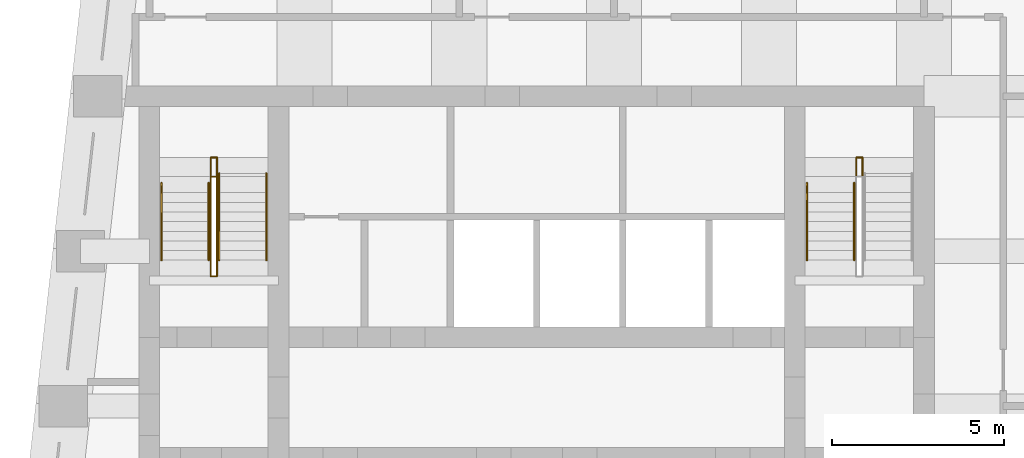
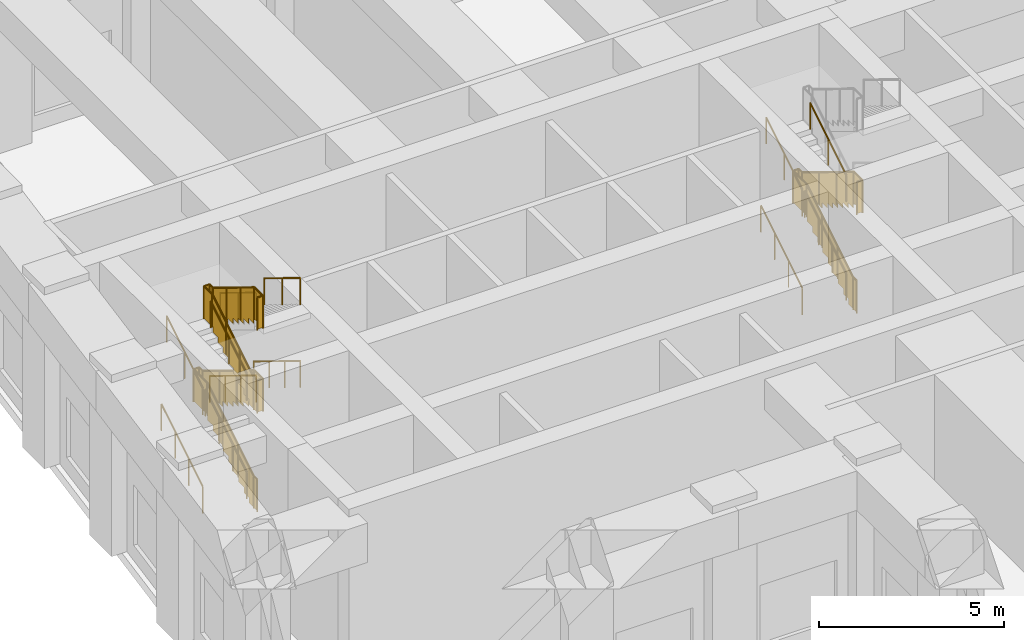
# One storey, part 6 of 7: 18 railings.
"""IFC4 building model written with IfcOpenShell, lengths in metres."""

from ifc_helpers import new_model, si_unit, direction, frame, origin, origin_2d, place, context, subcontext, project, spatial, polyline, circle, outline, extrude, material, type_object, element, save


model = new_model("IFC4")

# Units and contexts
model_context = context("Model", 3, precision=1e-05, world=origin(), true_north=direction((0.0, 1.0)))
body_context = subcontext(model_context, "Body", "Model", "MODEL_VIEW")
ifc_project = project(units=[si_unit("LENGTHUNIT", "METRE"), si_unit("AREAUNIT", "SQUARE_METRE"), si_unit("VOLUMEUNIT", "CUBIC_METRE"), si_unit("PLANEANGLEUNIT", "RADIAN"), si_unit("MASSUNIT", "GRAM", prefix="KILO")], contexts=[model_context])

# Site, building, storey
site_placement = place(None, origin())
site = spatial("IfcSite", under=ifc_project, at=site_placement, CompositionType="ELEMENT")
building_placement = place(site_placement, origin())
building = spatial("IfcBuilding", under=site, at=building_placement, Name="Kilele Tower Hotel", CompositionType="ELEMENT")
storey_placement = place(building_placement, frame((0.0, 0.0, 244.699951171875)))
storey = spatial("IfcBuildingStorey", under=building, at=storey_placement, Name="L63", CompositionType="ELEMENT", Elevation=244.699951171875)

# Railings
ifc_material_1 = material(Name="Steel handrail", Category="steel")
railing_type_1 = type_object("IfcRailingType", Name="Handrail 900", PredefinedType="HANDRAIL", material=ifc_material_1)
for number, where, name in (
    (1, (13.85009765625, 22.239990234375, 0.17138671875), "Handrail ST1 flight 1"),
    (2, (15.22509765625, 22.239990234375, 0.17138671875), "Handrail ST1 flight 1"),
):
    element("IfcRailing", number, at=place(storey_placement, frame(where)), inside=storey, type_object=railing_type_1, Name=name, PredefinedType="HANDRAIL", context=body_context, shape_type="SweptSolid", body=[
        extrude(circle(Radius=0.02490234375, at=origin_2d()), frame((0.0, 0.0, 0.875), z_axis=(0.0, 0.852824270871, 0.522198011308), x_axis=(-1.0, 0.0, 0.0)), (0.0, 0.0, 1.0), 2.62646484375),
        extrude(circle(Radius=0.02001953125, at=origin_2d()), origin(), (0.0, 0.0, 1.0), 0.849853515625),
        extrude(circle(Radius=0.02001953125, at=origin_2d()), frame((0.0, 0.74658203125, 0.457275390625)), (0.0, 0.0, 1.0), 0.849853515625),
        extrude(circle(Radius=0.02001953125, at=origin_2d()), frame((0.0, 1.493408203125, 0.914306640625)), (0.0, 0.0, 1.0), 0.849853515625),
        extrude(circle(Radius=0.02001953125, at=origin_2d()), frame((0.0, 2.239990234375, 1.37158203125)), (0.0, 0.0, 1.0), 0.849853515625),
    ])
for number, where, name in (
    (3, (15.52490234375, 24.760009765625, 1.71435546875), "Handrail ST1 flight 2"),
    (4, (16.89990234375, 24.760009765625, 1.71435546875), "Handrail ST1 flight 2"),
):
    element("IfcRailing", number, at=place(storey_placement, frame(where)), inside=storey, type_object=railing_type_1, Name=name, PredefinedType="HANDRAIL", context=body_context, shape_type="SweptSolid", body=[
        extrude(circle(Radius=0.02490234375, at=origin_2d()), frame((0.0, 0.0, 0.875), z_axis=(0.0, -0.852873080145, 0.522118290393), x_axis=(1.0, 0.0, 0.0)), (0.0, 0.0, 1.0), 2.954833984375),
        extrude(circle(Radius=0.02001953125, at=origin_2d()), origin(), (0.0, 0.0, 1.0), 0.849853515625),
        extrude(circle(Radius=0.02001953125, at=origin_2d()), frame((0.0, -0.840087890625, 0.51416015625)), (0.0, 0.0, 1.0), 0.849853515625),
        extrude(circle(Radius=0.02001953125, at=origin_2d()), frame((0.0, -1.679931640625, 1.028564453125)), (0.0, 0.0, 1.0), 0.849853515625),
        extrude(circle(Radius=0.02001953125, at=origin_2d()), frame((0.0, -2.52001953125, 1.542724609375)), (0.0, 0.0, 1.0), 0.849853515625),
    ])
for number, where, name in (
    (5, (13.85009765625, 22.239990234375, 3.4287109375), "Handrail ST1 flight 3"),
    (6, (15.22509765625, 22.239990234375, 3.4287109375), "Handrail ST1 flight 3"),
):
    element("IfcRailing", number, at=place(storey_placement, frame(where)), inside=storey, type_object=railing_type_1, Name=name, PredefinedType="HANDRAIL", context=body_context, shape_type="SweptSolid", body=[
        extrude(circle(Radius=0.02490234375, at=origin_2d()), frame((0.0, 0.0, 0.875), z_axis=(0.0, 0.852856131449, 0.522145974847), x_axis=(-1.0, 0.0, 0.0)), (0.0, 0.0, 1.0), 2.298095703125),
        extrude(circle(Radius=0.02001953125, at=origin_2d()), origin(), (0.0, 0.0, 1.0), 0.849853515625),
        extrude(circle(Radius=0.02001953125, at=origin_2d()), frame((0.0, 0.97998046875, 0.60009765625)), (0.0, 0.0, 1.0), 0.849853515625),
        extrude(circle(Radius=0.02001953125, at=origin_2d()), frame((0.0, 1.9599609375, 1.199951171875)), (0.0, 0.0, 1.0), 0.849853515625),
    ])
for number, where, name in (
    (7, (15.52490234375, 24.199951171875, 4.800048828125), "Handrail ST1 flight 4"),
    (8, (16.89990234375, 24.199951171875, 4.800048828125), "Handrail ST1 flight 4"),
):
    element("IfcRailing", number, at=place(storey_placement, frame(where)), inside=storey, type_object=railing_type_1, Name=name, PredefinedType="HANDRAIL", context=body_context, shape_type="SweptSolid", body=[
        extrude(circle(Radius=0.02490234375, at=origin_2d()), frame((0.0, 0.0, 0.875), z_axis=(0.0, -0.852856131449, 0.522145974847), x_axis=(1.0, 0.0, 0.0)), (0.0, 0.0, 1.0), 2.298095703125),
        extrude(circle(Radius=0.02001953125, at=origin_2d()), origin(), (0.0, 0.0, 1.0), 0.849853515625),
        extrude(circle(Radius=0.02001953125, at=origin_2d()), frame((0.0, -0.97998046875, 0.60009765625)), (0.0, 0.0, 1.0), 0.849853515625),
        extrude(circle(Radius=0.02001953125, at=origin_2d()), frame((0.0, -1.9599609375, 1.199951171875)), (0.0, 0.0, 1.0), 0.849853515625),
    ])
for number, where, name in (
    (9, (32.60009765625, 22.239990234375, 0.17138671875), "Handrail ST2 flight 1"),
    (10, (33.97509765625, 22.239990234375, 0.17138671875), "Handrail ST2 flight 1"),
):
    element("IfcRailing", number, at=place(storey_placement, frame(where)), inside=storey, type_object=railing_type_1, Name=name, PredefinedType="HANDRAIL", context=body_context, shape_type="SweptSolid", body=[
        extrude(circle(Radius=0.02490234375, at=origin_2d()), frame((0.0, 0.0, 0.875), z_axis=(0.0, 0.852824270871, 0.522198011308), x_axis=(-1.0, 0.0, 0.0)), (0.0, 0.0, 1.0), 2.62646484375),
        extrude(circle(Radius=0.02001953125, at=origin_2d()), origin(), (0.0, 0.0, 1.0), 0.849853515625),
        extrude(circle(Radius=0.02001953125, at=origin_2d()), frame((0.0, 0.74658203125, 0.457275390625)), (0.0, 0.0, 1.0), 0.849853515625),
        extrude(circle(Radius=0.02001953125, at=origin_2d()), frame((0.0, 1.493408203125, 0.914306640625)), (0.0, 0.0, 1.0), 0.849853515625),
        extrude(circle(Radius=0.02001953125, at=origin_2d()), frame((0.0, 2.239990234375, 1.37158203125)), (0.0, 0.0, 1.0), 0.849853515625),
    ])
for number, where, name in (
    (11, (32.60009765625, 22.239990234375, 3.4287109375), "Handrail ST2 flight 3"),
    (12, (33.97509765625, 22.239990234375, 3.4287109375), "Handrail ST2 flight 3"),
):
    element("IfcRailing", number, at=place(storey_placement, frame(where)), inside=storey, type_object=railing_type_1, Name=name, PredefinedType="HANDRAIL", context=body_context, shape_type="SweptSolid", body=[
        extrude(circle(Radius=0.02490234375, at=origin_2d()), frame((0.0, 0.0, 0.875), z_axis=(0.0, 0.852856131449, 0.522145974847), x_axis=(-1.0, 0.0, 0.0)), (0.0, 0.0, 1.0), 2.298095703125),
        extrude(circle(Radius=0.02001953125, at=origin_2d()), origin(), (0.0, 0.0, 1.0), 0.849853515625),
        extrude(circle(Radius=0.02001953125, at=origin_2d()), frame((0.0, 0.97998046875, 0.60009765625)), (0.0, 0.0, 1.0), 0.849853515625),
        extrude(circle(Radius=0.02001953125, at=origin_2d()), frame((0.0, 1.9599609375, 1.199951171875)), (0.0, 0.0, 1.0), 0.849853515625),
    ])
ifc_material_2 = material(Name="Steel guard", Category="steel")
railing_type_2 = type_object("IfcRailingType", Name="Stair guard 1100", PredefinedType="GUARDRAIL", material=ifc_material_2)
railing_1_placement = place(storey_placement, frame((15.284912109375, 21.77490234375, 0.0)))
element("IfcRailing", 13, at=railing_1_placement, inside=storey, type_object=railing_type_2, Name="Stair well guard ST1 flight 1", PredefinedType="GUARDRAIL", context=body_context, shape_type="SweptSolid", body=[
    extrude(circle(Radius=0.02490234375, at=origin_2d()), frame((0.0, 0.0, 1.0751953125), z_axis=(0.0, 1.0, 0.0), x_axis=(-1.0, 0.0, 0.0)), (0.0, 0.0, 1.0), 0.18505859375),
    extrude(circle(Radius=0.02490234375, at=origin_2d()), frame((0.0, 0.18505859375, 1.0751953125), z_axis=(0.0, 0.852836285881, 0.522178388565), x_axis=(-1.0, 0.0, 0.0)), (0.0, 0.0, 1.0), 2.954833984375),
    extrude(circle(Radius=0.02490234375, at=origin_2d()), frame((0.0, 2.705078125, 2.6181640625), z_axis=(0.0, 1.0, 0.0), x_axis=(-1.0, 0.0, 0.0)), (0.0, 0.0, 1.0), 0.7451171875),
    extrude(circle(Radius=0.02490234375, at=origin_2d()), frame((0.0, 3.4501953125, 2.6181640625), z_axis=(1.0, 0.0, 0.0), x_axis=(0.0, 1.0, 0.0)), (0.0, 0.0, 1.0), 0.18017578125),
    extrude(circle(Radius=0.02490234375, at=origin_2d()), origin(), (0.0, 0.0, 1.0), 1.050048828125),
    extrude(circle(Radius=0.02490234375, at=origin_2d()), frame((0.0, 0.18505859375, 0.0)), (0.0, 0.0, 1.0), 1.050048828125),
    extrude(circle(Radius=0.02490234375, at=origin_2d()), frame((0.0, 1.025146484375, 0.514404296875)), (0.0, 0.0, 1.0), 1.050048828125),
    extrude(circle(Radius=0.02490234375, at=origin_2d()), frame((0.0, 1.864990234375, 1.028564453125)), (0.0, 0.0, 1.0), 1.050048828125),
    extrude(circle(Radius=0.02490234375, at=origin_2d()), frame((0.0, 2.705078125, 1.54296875)), (0.0, 0.0, 1.0), 1.050048828125),
    extrude(circle(Radius=0.02490234375, at=origin_2d()), frame((0.0, 3.4501953125, 1.54296875)), (0.0, 0.0, 1.0), 1.050048828125),
    extrude(circle(Radius=0.02490234375, at=origin_2d()), frame((0.18017578125, 3.4501953125, 1.54296875)), (0.0, 0.0, 1.0), 1.050048828125),
    extrude(outline(polyline([(0.0, 0.030029296875), (0.172607421875, 0.030029296875), (0.172607421875, 1.050048828125), (0.0, 1.050048828125), (0.0, 0.030029296875)])), frame((-0.005859375, 0.0, 0.0), z_axis=(1.0, 0.0, 0.0), x_axis=(0.0, 1.0, 0.0)), (0.0, 0.0, 1.0), 0.011962890625),
    extrude(outline(polyline([(0.012451171875, 0.030029296875), (0.25, 0.030029296875), (0.25, 0.201416015625), (0.530029296875, 0.201416015625), (0.530029296875, 0.372802734375), (0.81005859375, 0.372802734375), (0.81005859375, 0.54443359375), (1.090087890625, 0.54443359375), (1.090087890625, 0.7158203125), (1.369873046875, 0.7158203125), (1.369873046875, 0.88720703125), (1.64990234375, 0.88720703125), (1.64990234375, 1.05859375), (1.929931640625, 1.05859375), (1.929931640625, 1.230224609375), (2.2099609375, 1.230224609375), (2.2099609375, 1.401611328125), (2.489990234375, 1.401611328125), (2.489990234375, 1.572998046875), (2.507568359375, 1.572998046875), (2.507568359375, 2.5810546875), (0.012451171875, 1.053466796875), (0.012451171875, 0.030029296875)])), frame((-0.005859375, 0.18505859375, 0.0), z_axis=(1.0, 0.0, 0.0), x_axis=(0.0, 1.0, 0.0)), (0.0, 0.0, 1.0), 0.011962890625),
    extrude(outline(polyline([(0.012451171875, 0.030029296875), (0.732666015625, 0.030029296875), (0.732666015625, 1.050048828125), (0.012451171875, 1.050048828125), (0.012451171875, 0.030029296875)])), frame((-0.005859375, 2.705078125, 1.54296875), z_axis=(1.0, 0.0, 0.0), x_axis=(0.0, 1.0, 0.0)), (0.0, 0.0, 1.0), 0.011962890625),
    extrude(outline(polyline([(0.012451171875, 0.030029296875), (0.18017578125, 0.030029296875), (0.18017578125, 1.050048828125), (0.012451171875, 1.050048828125), (0.012451171875, 0.030029296875)])), frame((0.0, 3.4560546875, 1.54296875), z_axis=(0.0, -1.0, 0.0), x_axis=(1.0, 0.0, 0.0)), (0.0, 0.0, 1.0), 0.011962890625),
])
railing_2_placement = place(storey_placement, frame((15.465087890625, 25.22509765625, 1.54296875)))
element("IfcRailing", 14, at=railing_2_placement, inside=storey, type_object=railing_type_2, Name="Stair well guard ST1 flight 2", PredefinedType="GUARDRAIL", context=body_context, shape_type="SweptSolid", body=[
    extrude(circle(Radius=0.02490234375, at=origin_2d()), frame((0.0, 0.0, 1.0751953125), z_axis=(0.0, -1.0, 0.0), x_axis=(1.0, 0.0, 0.0)), (0.0, 0.0, 1.0), 0.18505859375),
    extrude(circle(Radius=0.02490234375, at=origin_2d()), frame((0.0, -0.18505859375, 1.0751953125), z_axis=(0.0, -0.852879011914, 0.522108600807), x_axis=(1.0, 0.0, 0.0)), (0.0, 0.0, 1.0), 3.282958984375),
    extrude(circle(Radius=0.02490234375, at=origin_2d()), frame((0.0, -2.985107421875, 2.7890625), z_axis=(0.0, -1.0, 0.0), x_axis=(1.0, 0.0, 0.0)), (0.0, 0.0, 1.0), 0.465087890625),
    extrude(circle(Radius=0.02490234375, at=origin_2d()), frame((0.0, -3.4501953125, 2.7890625), z_axis=(-1.0, 0.0, 0.0), x_axis=(0.0, -1.0, 0.0)), (0.0, 0.0, 1.0), 0.18017578125),
    extrude(circle(Radius=0.02490234375, at=origin_2d()), origin(), (0.0, 0.0, 1.0), 1.050048828125),
    extrude(circle(Radius=0.02490234375, at=origin_2d()), frame((0.0, -0.18505859375, 0.0)), (0.0, 0.0, 1.0), 1.050048828125),
    extrude(circle(Radius=0.02490234375, at=origin_2d()), frame((0.0, -1.118408203125, 0.5712890625)), (0.0, 0.0, 1.0), 1.050048828125),
    extrude(circle(Radius=0.02490234375, at=origin_2d()), frame((0.0, -2.0517578125, 1.142822265625)), (0.0, 0.0, 1.0), 1.050048828125),
    extrude(circle(Radius=0.02490234375, at=origin_2d()), frame((0.0, -2.985107421875, 1.714111328125)), (0.0, 0.0, 1.0), 1.050048828125),
    extrude(circle(Radius=0.02490234375, at=origin_2d()), frame((0.0, -3.4501953125, 1.714111328125)), (0.0, 0.0, 1.0), 1.050048828125),
    extrude(circle(Radius=0.02490234375, at=origin_2d()), frame((-0.18017578125, -3.4501953125, 1.714111328125)), (0.0, 0.0, 1.0), 1.050048828125),
    extrude(outline(polyline([(0.0, 0.030029296875), (0.172607421875, 0.030029296875), (0.172607421875, 1.050048828125), (0.0, 1.050048828125), (0.0, 0.030029296875)])), frame((0.005859375, 0.0, 0.0), z_axis=(-1.0, 0.0, 0.0), x_axis=(0.0, -1.0, 0.0)), (0.0, 0.0, 1.0), 0.011962890625),
    extrude(outline(polyline([(0.012451171875, 0.030029296875), (0.25, 0.030029296875), (0.25, 0.201416015625), (0.530029296875, 0.201416015625), (0.530029296875, 0.372802734375), (0.81005859375, 0.372802734375), (0.81005859375, 0.544189453125), (1.090087890625, 0.544189453125), (1.090087890625, 0.715576171875), (1.3701171875, 0.715576171875), (1.3701171875, 0.88720703125), (1.64990234375, 0.88720703125), (1.64990234375, 1.05859375), (1.929931640625, 1.05859375), (1.929931640625, 1.22998046875), (2.2099609375, 1.22998046875), (2.2099609375, 1.4013671875), (2.489990234375, 1.4013671875), (2.489990234375, 1.57275390625), (2.77001953125, 1.57275390625), (2.77001953125, 1.744140625), (2.78759765625, 1.744140625), (2.78759765625, 2.752197265625), (0.012451171875, 1.053466796875), (0.012451171875, 0.030029296875)])), frame((0.005859375, -0.18505859375, 0.0), z_axis=(-1.0, 0.0, 0.0), x_axis=(0.0, -1.0, 0.0)), (0.0, 0.0, 1.0), 0.011962890625),
    extrude(outline(polyline([(0.012451171875, 0.030029296875), (0.45263671875, 0.030029296875), (0.45263671875, 1.050048828125), (0.012451171875, 1.050048828125), (0.012451171875, 0.030029296875)])), frame((0.005859375, -2.985107421875, 1.714111328125), z_axis=(-1.0, 0.0, 0.0), x_axis=(0.0, -1.0, 0.0)), (0.0, 0.0, 1.0), 0.011962890625),
    extrude(outline(polyline([(0.012451171875, 0.030029296875), (0.18017578125, 0.030029296875), (0.18017578125, 1.050048828125), (0.012451171875, 1.050048828125), (0.012451171875, 0.030029296875)])), frame((0.0, -3.4560546875, 1.714111328125), z_axis=(0.0, 1.0, 0.0), x_axis=(-1.0, 0.0, 0.0)), (0.0, 0.0, 1.0), 0.011962890625),
])
railing_3_placement = place(storey_placement, frame((15.284912109375, 21.77490234375, 3.257080078125)))
element("IfcRailing", 15, at=railing_3_placement, inside=storey, type_object=railing_type_2, Name="Stair well guard ST1 flight 3", PredefinedType="GUARDRAIL", context=body_context, shape_type="SweptSolid", body=[
    extrude(circle(Radius=0.02490234375, at=origin_2d()), frame((0.0, 0.0, 1.0751953125), z_axis=(0.0, 1.0, 0.0), x_axis=(-1.0, 0.0, 0.0)), (0.0, 0.0, 1.0), 0.18505859375),
    extrude(circle(Radius=0.02490234375, at=origin_2d()), frame((0.0, 0.18505859375, 1.0751953125), z_axis=(0.0, 0.852824270871, 0.522198011308), x_axis=(-1.0, 0.0, 0.0)), (0.0, 0.0, 1.0), 2.62646484375),
    extrude(circle(Radius=0.02490234375, at=origin_2d()), frame((0.0, 2.425048828125, 2.44677734375), z_axis=(0.0, 1.0, 0.0), x_axis=(-1.0, 0.0, 0.0)), (0.0, 0.0, 1.0), 0.465087890625),
    extrude(circle(Radius=0.02490234375, at=origin_2d()), frame((0.0, 2.89013671875, 2.44677734375), z_axis=(1.0, 0.0, 0.0), x_axis=(0.0, 1.0, 0.0)), (0.0, 0.0, 1.0), 0.18017578125),
    extrude(circle(Radius=0.02490234375, at=origin_2d()), origin(), (0.0, 0.0, 1.0), 1.050048828125),
    extrude(circle(Radius=0.02490234375, at=origin_2d()), frame((0.0, 0.18505859375, 0.0)), (0.0, 0.0, 1.0), 1.050048828125),
    extrude(circle(Radius=0.02490234375, at=origin_2d()), frame((0.0, 0.931640625, 0.457275390625)), (0.0, 0.0, 1.0), 1.050048828125),
    extrude(circle(Radius=0.02490234375, at=origin_2d()), frame((0.0, 1.678466796875, 0.914306640625)), (0.0, 0.0, 1.0), 1.050048828125),
    extrude(circle(Radius=0.02490234375, at=origin_2d()), frame((0.0, 2.425048828125, 1.37158203125)), (0.0, 0.0, 1.0), 1.050048828125),
    extrude(circle(Radius=0.02490234375, at=origin_2d()), frame((0.0, 2.89013671875, 1.37158203125)), (0.0, 0.0, 1.0), 1.050048828125),
    extrude(circle(Radius=0.02490234375, at=origin_2d()), frame((0.18017578125, 2.89013671875, 1.37158203125)), (0.0, 0.0, 1.0), 1.050048828125),
    extrude(outline(polyline([(0.0, 0.030029296875), (0.172607421875, 0.030029296875), (0.172607421875, 1.050048828125), (0.0, 1.050048828125), (0.0, 0.030029296875)])), frame((-0.005859375, 0.0, 0.0), z_axis=(1.0, 0.0, 0.0), x_axis=(0.0, 1.0, 0.0)), (0.0, 0.0, 1.0), 0.011962890625),
    extrude(outline(polyline([(0.012451171875, 0.030029296875), (0.25, 0.030029296875), (0.25, 0.201416015625), (0.530029296875, 0.201416015625), (0.530029296875, 0.373046875), (0.81005859375, 0.373046875), (0.81005859375, 0.54443359375), (1.08984375, 0.54443359375), (1.08984375, 0.7158203125), (1.369873046875, 0.7158203125), (1.369873046875, 0.88720703125), (1.64990234375, 0.88720703125), (1.64990234375, 1.05859375), (1.929931640625, 1.05859375), (1.929931640625, 1.230224609375), (2.2099609375, 1.230224609375), (2.2099609375, 1.401611328125), (2.2275390625, 1.401611328125), (2.2275390625, 2.40966796875), (0.012451171875, 1.053466796875), (0.012451171875, 0.030029296875)])), frame((-0.005859375, 0.18505859375, 0.0), z_axis=(1.0, 0.0, 0.0), x_axis=(0.0, 1.0, 0.0)), (0.0, 0.0, 1.0), 0.011962890625),
    extrude(outline(polyline([(0.012451171875, 0.030029296875), (0.45263671875, 0.030029296875), (0.45263671875, 1.050048828125), (0.012451171875, 1.050048828125), (0.012451171875, 0.030029296875)])), frame((-0.005859375, 2.425048828125, 1.37158203125), z_axis=(1.0, 0.0, 0.0), x_axis=(0.0, 1.0, 0.0)), (0.0, 0.0, 1.0), 0.011962890625),
    extrude(outline(polyline([(0.012451171875, 0.030029296875), (0.18017578125, 0.030029296875), (0.18017578125, 1.050048828125), (0.012451171875, 1.050048828125), (0.012451171875, 0.030029296875)])), frame((0.0, 2.89599609375, 1.37158203125), z_axis=(0.0, -1.0, 0.0), x_axis=(1.0, 0.0, 0.0)), (0.0, 0.0, 1.0), 0.011962890625),
])
railing_4_placement = place(storey_placement, frame((15.465087890625, 24.6650390625, 4.628662109375)))
element("IfcRailing", 16, at=railing_4_placement, inside=storey, type_object=railing_type_2, Name="Stair well guard ST1 flight 4", PredefinedType="GUARDRAIL", context=body_context, shape_type="SweptSolid", body=[
    extrude(circle(Radius=0.02490234375, at=origin_2d()), frame((0.0, 0.0, 1.0751953125), z_axis=(0.0, -1.0, 0.0), x_axis=(1.0, 0.0, 0.0)), (0.0, 0.0, 1.0), 0.18505859375),
    extrude(circle(Radius=0.02490234375, at=origin_2d()), frame((0.0, -0.18505859375, 1.0751953125), z_axis=(0.0, -0.852865665234, 0.522130402356), x_axis=(1.0, 0.0, 0.0)), (0.0, 0.0, 1.0), 2.62646484375),
    extrude(circle(Radius=0.02490234375, at=origin_2d()), frame((0.0, -2.425048828125, 2.4462890625), z_axis=(0.0, -1.0, 0.0), x_axis=(1.0, 0.0, 0.0)), (0.0, 0.0, 1.0), 0.465087890625),
    extrude(circle(Radius=0.02490234375, at=origin_2d()), frame((0.0, -2.89013671875, 2.4462890625), z_axis=(-1.0, 0.0, 0.0), x_axis=(0.0, -1.0, 0.0)), (0.0, 0.0, 1.0), 0.18017578125),
    extrude(circle(Radius=0.02490234375, at=origin_2d()), origin(), (0.0, 0.0, 1.0), 1.050048828125),
    extrude(circle(Radius=0.02490234375, at=origin_2d()), frame((0.0, -0.18505859375, 0.0)), (0.0, 0.0, 1.0), 1.050048828125),
    extrude(circle(Radius=0.02490234375, at=origin_2d()), frame((0.0, -0.931640625, 0.45703125)), (0.0, 0.0, 1.0), 1.050048828125),
    extrude(circle(Radius=0.02490234375, at=origin_2d()), frame((0.0, -1.678466796875, 0.914306640625)), (0.0, 0.0, 1.0), 1.050048828125),
    extrude(circle(Radius=0.02490234375, at=origin_2d()), frame((0.0, -2.425048828125, 1.371337890625)), (0.0, 0.0, 1.0), 1.050048828125),
    extrude(circle(Radius=0.02490234375, at=origin_2d()), frame((0.0, -2.89013671875, 1.371337890625)), (0.0, 0.0, 1.0), 1.050048828125),
    extrude(circle(Radius=0.02490234375, at=origin_2d()), frame((-0.18017578125, -2.89013671875, 1.371337890625)), (0.0, 0.0, 1.0), 1.050048828125),
    extrude(outline(polyline([(0.0, 0.030029296875), (0.172607421875, 0.030029296875), (0.172607421875, 1.050048828125), (0.0, 1.050048828125), (0.0, 0.030029296875)])), frame((0.005859375, 0.0, 0.0), z_axis=(-1.0, 0.0, 0.0), x_axis=(0.0, -1.0, 0.0)), (0.0, 0.0, 1.0), 0.011962890625),
    extrude(outline(polyline([(0.012451171875, 0.030029296875), (0.25, 0.030029296875), (0.25, 0.201416015625), (0.530029296875, 0.201416015625), (0.530029296875, 0.372802734375), (0.81005859375, 0.372802734375), (0.81005859375, 0.544189453125), (1.08984375, 0.544189453125), (1.08984375, 0.7158203125), (1.369873046875, 0.7158203125), (1.369873046875, 0.88720703125), (1.64990234375, 0.88720703125), (1.64990234375, 1.05859375), (1.929931640625, 1.05859375), (1.929931640625, 1.22998046875), (2.2099609375, 1.22998046875), (2.2099609375, 1.4013671875), (2.2275390625, 1.4013671875), (2.2275390625, 2.409423828125), (0.012451171875, 1.053466796875), (0.012451171875, 0.030029296875)])), frame((0.005859375, -0.18505859375, 0.0), z_axis=(-1.0, 0.0, 0.0), x_axis=(0.0, -1.0, 0.0)), (0.0, 0.0, 1.0), 0.011962890625),
    extrude(outline(polyline([(0.012451171875, 0.030029296875), (0.45263671875, 0.030029296875), (0.45263671875, 1.050048828125), (0.012451171875, 1.050048828125), (0.012451171875, 0.030029296875)])), frame((0.005859375, -2.425048828125, 1.371337890625), z_axis=(-1.0, 0.0, 0.0), x_axis=(0.0, -1.0, 0.0)), (0.0, 0.0, 1.0), 0.011962890625),
    extrude(outline(polyline([(0.012451171875, 0.030029296875), (0.18017578125, 0.030029296875), (0.18017578125, 1.050048828125), (0.012451171875, 1.050048828125), (0.012451171875, 0.030029296875)])), frame((0.0, -2.89599609375, 1.371337890625), z_axis=(0.0, 1.0, 0.0), x_axis=(-1.0, 0.0, 0.0)), (0.0, 0.0, 1.0), 0.011962890625),
])
railing_5_placement = place(storey_placement, frame((34.034912109375, 21.77490234375, 0.0)))
element("IfcRailing", 17, at=railing_5_placement, inside=storey, type_object=railing_type_2, Name="Stair well guard ST2 flight 1", PredefinedType="GUARDRAIL", context=body_context, shape_type="SweptSolid", body=[
    extrude(circle(Radius=0.02490234375, at=origin_2d()), frame((0.0, 0.0, 1.0751953125), z_axis=(0.0, 1.0, 0.0), x_axis=(-1.0, 0.0, 0.0)), (0.0, 0.0, 1.0), 0.18505859375),
    extrude(circle(Radius=0.02490234375, at=origin_2d()), frame((0.0, 0.18505859375, 1.0751953125), z_axis=(0.0, 0.852836285881, 0.522178388565), x_axis=(-1.0, 0.0, 0.0)), (0.0, 0.0, 1.0), 2.954833984375),
    extrude(circle(Radius=0.02490234375, at=origin_2d()), frame((0.0, 2.705078125, 2.6181640625), z_axis=(0.0, 1.0, 0.0), x_axis=(-1.0, 0.0, 0.0)), (0.0, 0.0, 1.0), 0.7451171875),
    extrude(circle(Radius=0.02490234375, at=origin_2d()), frame((0.0, 3.4501953125, 2.6181640625), z_axis=(1.0, 0.0, 0.0), x_axis=(0.0, 1.0, 0.0)), (0.0, 0.0, 1.0), 0.18017578125),
    extrude(circle(Radius=0.02490234375, at=origin_2d()), origin(), (0.0, 0.0, 1.0), 1.050048828125),
    extrude(circle(Radius=0.02490234375, at=origin_2d()), frame((0.0, 0.18505859375, 0.0)), (0.0, 0.0, 1.0), 1.050048828125),
    extrude(circle(Radius=0.02490234375, at=origin_2d()), frame((0.0, 1.025146484375, 0.514404296875)), (0.0, 0.0, 1.0), 1.050048828125),
    extrude(circle(Radius=0.02490234375, at=origin_2d()), frame((0.0, 1.864990234375, 1.028564453125)), (0.0, 0.0, 1.0), 1.050048828125),
    extrude(circle(Radius=0.02490234375, at=origin_2d()), frame((0.0, 2.705078125, 1.54296875)), (0.0, 0.0, 1.0), 1.050048828125),
    extrude(circle(Radius=0.02490234375, at=origin_2d()), frame((0.0, 3.4501953125, 1.54296875)), (0.0, 0.0, 1.0), 1.050048828125),
    extrude(circle(Radius=0.02490234375, at=origin_2d()), frame((0.18017578125, 3.4501953125, 1.54296875)), (0.0, 0.0, 1.0), 1.050048828125),
    extrude(outline(polyline([(0.0, 0.030029296875), (0.172607421875, 0.030029296875), (0.172607421875, 1.050048828125), (0.0, 1.050048828125), (0.0, 0.030029296875)])), frame((-0.005859375, 0.0, 0.0), z_axis=(1.0, 0.0, 0.0), x_axis=(0.0, 1.0, 0.0)), (0.0, 0.0, 1.0), 0.011962890625),
    extrude(outline(polyline([(0.012451171875, 0.030029296875), (0.25, 0.030029296875), (0.25, 0.201416015625), (0.530029296875, 0.201416015625), (0.530029296875, 0.372802734375), (0.81005859375, 0.372802734375), (0.81005859375, 0.54443359375), (1.090087890625, 0.54443359375), (1.090087890625, 0.7158203125), (1.369873046875, 0.7158203125), (1.369873046875, 0.88720703125), (1.64990234375, 0.88720703125), (1.64990234375, 1.05859375), (1.929931640625, 1.05859375), (1.929931640625, 1.230224609375), (2.2099609375, 1.230224609375), (2.2099609375, 1.401611328125), (2.489990234375, 1.401611328125), (2.489990234375, 1.572998046875), (2.507568359375, 1.572998046875), (2.507568359375, 2.5810546875), (0.012451171875, 1.053466796875), (0.012451171875, 0.030029296875)])), frame((-0.005859375, 0.18505859375, 0.0), z_axis=(1.0, 0.0, 0.0), x_axis=(0.0, 1.0, 0.0)), (0.0, 0.0, 1.0), 0.011962890625),
    extrude(outline(polyline([(0.012451171875, 0.030029296875), (0.732666015625, 0.030029296875), (0.732666015625, 1.050048828125), (0.012451171875, 1.050048828125), (0.012451171875, 0.030029296875)])), frame((-0.005859375, 2.705078125, 1.54296875), z_axis=(1.0, 0.0, 0.0), x_axis=(0.0, 1.0, 0.0)), (0.0, 0.0, 1.0), 0.011962890625),
    extrude(outline(polyline([(0.012451171875, 0.030029296875), (0.18017578125, 0.030029296875), (0.18017578125, 1.050048828125), (0.012451171875, 1.050048828125), (0.012451171875, 0.030029296875)])), frame((0.0, 3.4560546875, 1.54296875), z_axis=(0.0, -1.0, 0.0), x_axis=(1.0, 0.0, 0.0)), (0.0, 0.0, 1.0), 0.011962890625),
])
railing_6_placement = place(storey_placement, frame((34.215087890625, 25.22509765625, 1.54296875)))
element("IfcRailing", 18, at=railing_6_placement, inside=storey, type_object=railing_type_2, Name="Stair well guard ST2 flight 2", PredefinedType="GUARDRAIL", context=body_context, shape_type="SweptSolid", body=[
    extrude(circle(Radius=0.02490234375, at=origin_2d()), frame((0.0, 0.0, 1.0751953125), z_axis=(0.0, -1.0, 0.0), x_axis=(1.0, 0.0, 0.0)), (0.0, 0.0, 1.0), 0.18505859375),
    extrude(circle(Radius=0.02490234375, at=origin_2d()), frame((0.0, -0.18505859375, 1.0751953125), z_axis=(0.0, -0.852879011914, 0.522108600807), x_axis=(1.0, 0.0, 0.0)), (0.0, 0.0, 1.0), 3.282958984375),
    extrude(circle(Radius=0.02490234375, at=origin_2d()), frame((0.0, -2.985107421875, 2.7890625), z_axis=(0.0, -1.0, 0.0), x_axis=(1.0, 0.0, 0.0)), (0.0, 0.0, 1.0), 0.465087890625),
    extrude(circle(Radius=0.02490234375, at=origin_2d()), frame((0.0, -3.4501953125, 2.7890625), z_axis=(-1.0, 0.0, 0.0), x_axis=(0.0, -1.0, 0.0)), (0.0, 0.0, 1.0), 0.18017578125),
    extrude(circle(Radius=0.02490234375, at=origin_2d()), origin(), (0.0, 0.0, 1.0), 1.050048828125),
    extrude(circle(Radius=0.02490234375, at=origin_2d()), frame((0.0, -0.18505859375, 0.0)), (0.0, 0.0, 1.0), 1.050048828125),
    extrude(circle(Radius=0.02490234375, at=origin_2d()), frame((0.0, -1.118408203125, 0.5712890625)), (0.0, 0.0, 1.0), 1.050048828125),
    extrude(circle(Radius=0.02490234375, at=origin_2d()), frame((0.0, -2.0517578125, 1.142822265625)), (0.0, 0.0, 1.0), 1.050048828125),
    extrude(circle(Radius=0.02490234375, at=origin_2d()), frame((0.0, -2.985107421875, 1.714111328125)), (0.0, 0.0, 1.0), 1.050048828125),
    extrude(circle(Radius=0.02490234375, at=origin_2d()), frame((0.0, -3.4501953125, 1.714111328125)), (0.0, 0.0, 1.0), 1.050048828125),
    extrude(circle(Radius=0.02490234375, at=origin_2d()), frame((-0.18017578125, -3.4501953125, 1.714111328125)), (0.0, 0.0, 1.0), 1.050048828125),
    extrude(outline(polyline([(0.0, 0.030029296875), (0.172607421875, 0.030029296875), (0.172607421875, 1.050048828125), (0.0, 1.050048828125), (0.0, 0.030029296875)])), frame((0.005859375, 0.0, 0.0), z_axis=(-1.0, 0.0, 0.0), x_axis=(0.0, -1.0, 0.0)), (0.0, 0.0, 1.0), 0.011962890625),
    extrude(outline(polyline([(0.012451171875, 0.030029296875), (0.25, 0.030029296875), (0.25, 0.201416015625), (0.530029296875, 0.201416015625), (0.530029296875, 0.372802734375), (0.81005859375, 0.372802734375), (0.81005859375, 0.544189453125), (1.090087890625, 0.544189453125), (1.090087890625, 0.715576171875), (1.3701171875, 0.715576171875), (1.3701171875, 0.88720703125), (1.64990234375, 0.88720703125), (1.64990234375, 1.05859375), (1.929931640625, 1.05859375), (1.929931640625, 1.22998046875), (2.2099609375, 1.22998046875), (2.2099609375, 1.4013671875), (2.489990234375, 1.4013671875), (2.489990234375, 1.57275390625), (2.77001953125, 1.57275390625), (2.77001953125, 1.744140625), (2.78759765625, 1.744140625), (2.78759765625, 2.752197265625), (0.012451171875, 1.053466796875), (0.012451171875, 0.030029296875)])), frame((0.005859375, -0.18505859375, 0.0), z_axis=(-1.0, 0.0, 0.0), x_axis=(0.0, -1.0, 0.0)), (0.0, 0.0, 1.0), 0.011962890625),
    extrude(outline(polyline([(0.012451171875, 0.030029296875), (0.45263671875, 0.030029296875), (0.45263671875, 1.050048828125), (0.012451171875, 1.050048828125), (0.012451171875, 0.030029296875)])), frame((0.005859375, -2.985107421875, 1.714111328125), z_axis=(-1.0, 0.0, 0.0), x_axis=(0.0, -1.0, 0.0)), (0.0, 0.0, 1.0), 0.011962890625),
    extrude(outline(polyline([(0.012451171875, 0.030029296875), (0.18017578125, 0.030029296875), (0.18017578125, 1.050048828125), (0.012451171875, 1.050048828125), (0.012451171875, 0.030029296875)])), frame((0.0, -3.4560546875, 1.714111328125), z_axis=(0.0, 1.0, 0.0), x_axis=(-1.0, 0.0, 0.0)), (0.0, 0.0, 1.0), 0.011962890625),
])

save(model, "model.ifc")
